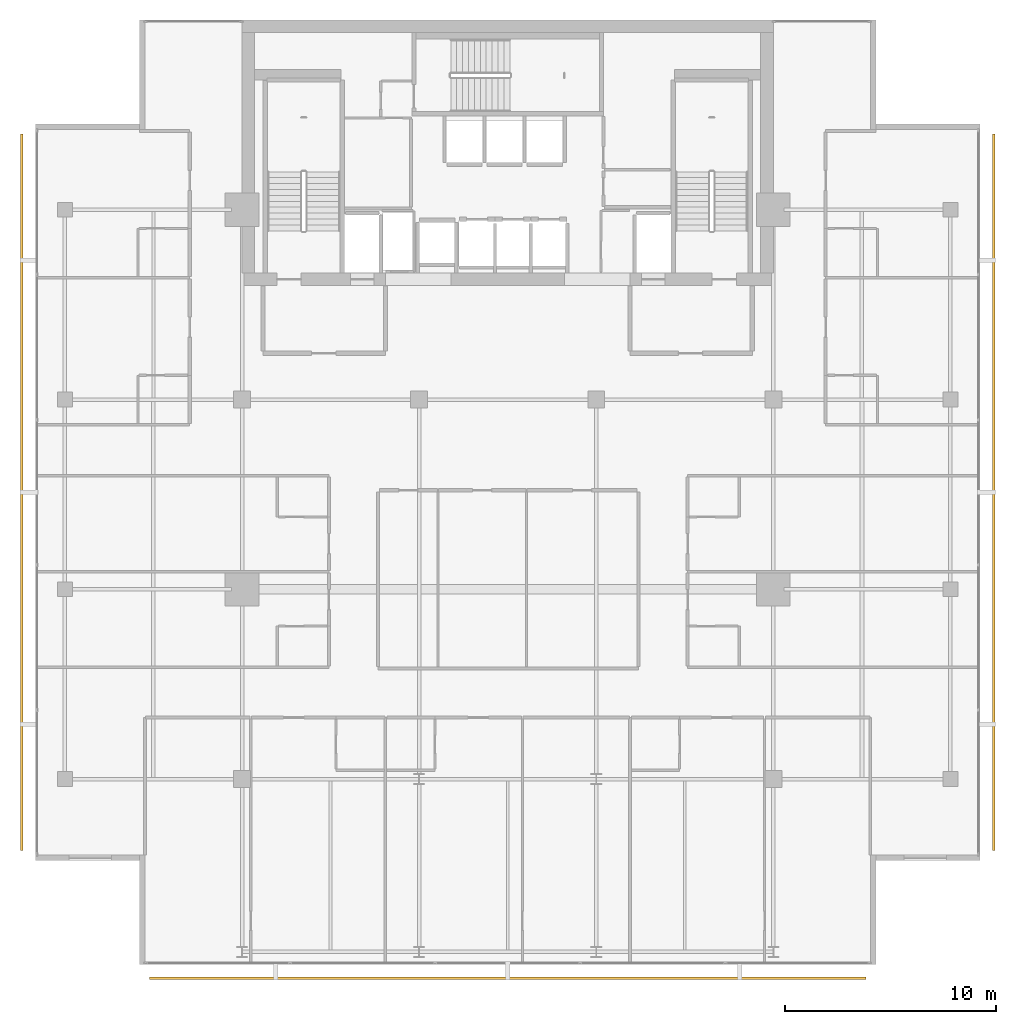
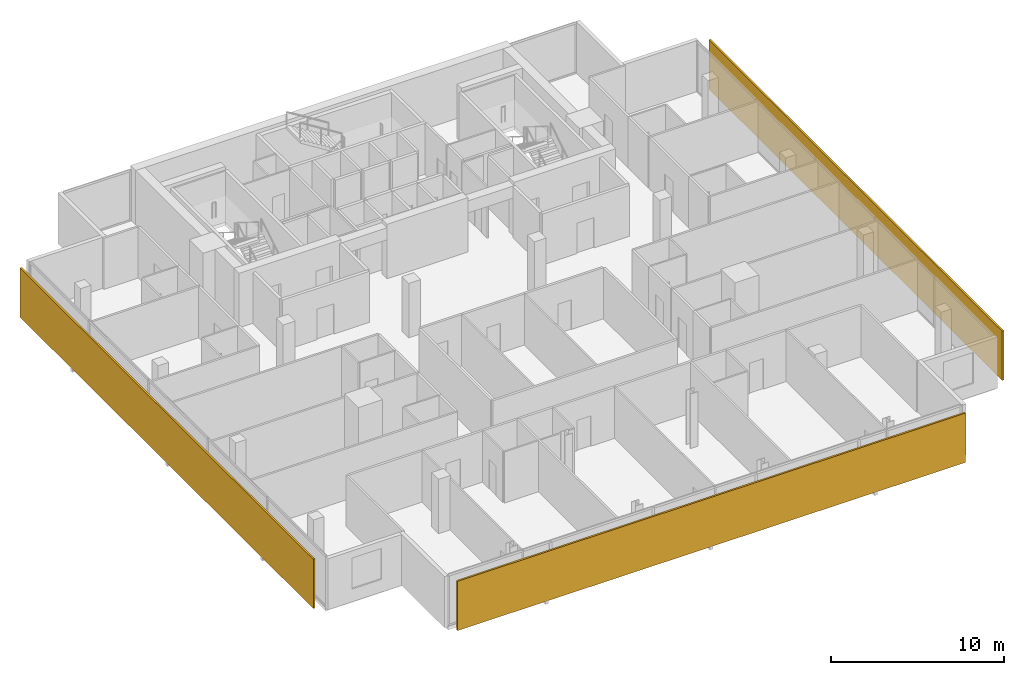
# One storey, part 24 of 25: 3 shading devices.
"""IFC4 building model written with IfcOpenShell, lengths in metres."""

from ifc_helpers import new_model, si_unit, direction, frame, origin, origin_2d, place, context, subcontext, project, spatial, rectangle, extrude, material, layer, layer_set, type_object, element, save


model = new_model("IFC4")

# Units and contexts
model_context = context("Model", 3, precision=1e-05, world=origin(), true_north=direction((0.0, 1.0)))
body_context = subcontext(model_context, "Body", "Model", "MODEL_VIEW")
ifc_project = project(units=[si_unit("LENGTHUNIT", "METRE"), si_unit("AREAUNIT", "SQUARE_METRE"), si_unit("VOLUMEUNIT", "CUBIC_METRE"), si_unit("PLANEANGLEUNIT", "RADIAN"), si_unit("MASSUNIT", "GRAM", prefix="KILO")], contexts=[model_context])

# Site, building, storey
site_placement = place(None, origin())
site = spatial("IfcSite", under=ifc_project, at=site_placement, CompositionType="ELEMENT")
building_placement = place(site_placement, origin())
building = spatial("IfcBuilding", under=site, at=building_placement, Name="Maruvema Waterfront Hotel and Observation Tower", CompositionType="ELEMENT")
storey_placement = place(building_placement, frame((0.0, 0.0, 297.14990234375)))
storey = spatial("IfcBuildingStorey", under=building, at=storey_placement, Name="L73", CompositionType="ELEMENT", Elevation=297.14990234375)

# Shading devices
ifc_material = material(Name="Honed travertine stone and anodised architectural bronze", Category="masonry")
ifc_layer = layer(ifc_material, 0.1201171875, Name="Ventilated Outer Skin Cobogo Stone-and-Bronze Screen 120 mm")
ifc_layer_set = layer_set([ifc_layer], Name="Honed travertine stone and anodised architectural bronze")
shading_device_type = type_object("IfcShadingDeviceType", Name="Ventilated Outer Skin Cobogo Stone-and-Bronze Screen 120 mm", PredefinedType="USERDEFINED", material=ifc_layer_set)
for number, where, z_axis, x_axis, name in (
    (1, (37.800048828125, 8.550048828125, 0.06005859375), (0.0, 0.0, 1.0), (1.0, 0.0, 0.0), "L73 Ventilated Double-Skin Outer Cobogo Screen OS-L73-S"),
    (2, (60.85009765625, 31.60009765625, 0.06005859375), (0.0, 0.0, 1.0), (0.0, 1.0, 0.0), "L73 Ventilated Double-Skin Outer Cobogo Screen OS-L73-E"),
    (3, (14.75, 31.60009765625, 0.06005859375), (0.0, 0.0, 1.0), (0.0, -1.0, 0.0), "L73 Ventilated Double-Skin Outer Cobogo Screen OS-L73-W"),
):
    element("IfcShadingDevice", number, at=place(storey_placement, frame(where, z_axis=z_axis, x_axis=x_axis)), inside=storey, type_object=shading_device_type, Name=name, ObjectType="OUTER SKIN SCREEN", PredefinedType="USERDEFINED", context=body_context, shape_type="SweptSolid", body=[
        extrude(rectangle(XDim=34.0, YDim=0.1201171875, at=origin_2d()), origin(), (0.0, 0.0, 1.0), 3.489990234375),
    ])

save(model, "model.ifc")
